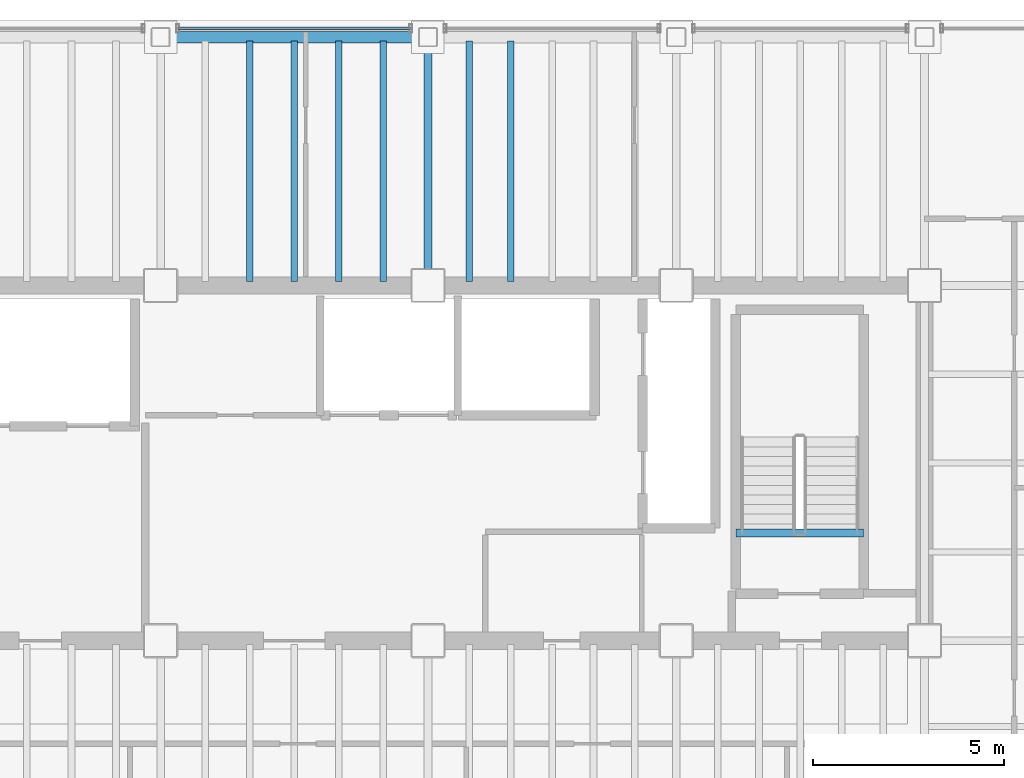
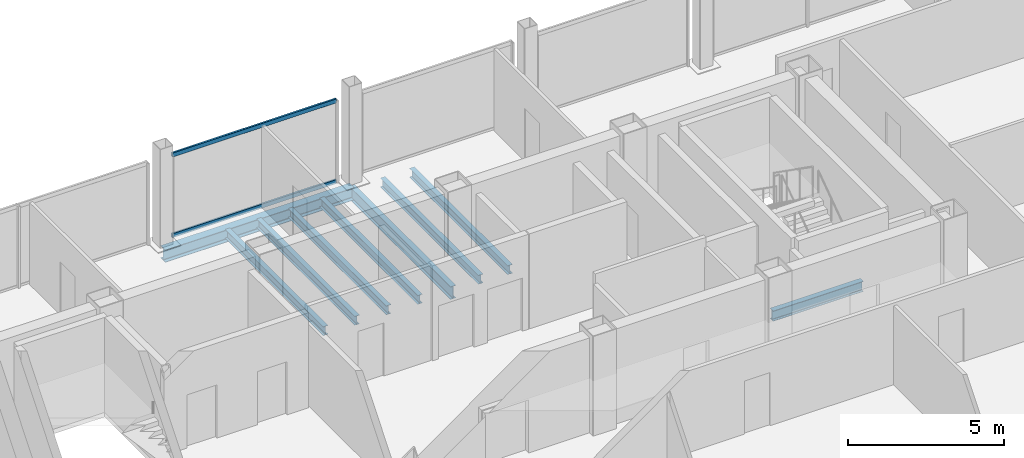
# One storey, part 8 of 16: 9 beams, 2 members, 1 element without a shape of its own.
"""IFC4 building model written with IfcOpenShell, lengths in metres."""

from ifc_helpers import new_model, si_unit, direction, frame, origin, origin_2d, place, context, subcontext, project, spatial, hollow_rectangle, i_section, extrude, material, material_profile, profile_set, type_object, element, aggregate, save


model = new_model("IFC4")

# Units and contexts
model_context = context("Model", 3, precision=1e-05, world=origin(), true_north=direction((0.0, 1.0)))
body_context = subcontext(model_context, "Body", "Model", "MODEL_VIEW")
ifc_project = project(units=[si_unit("LENGTHUNIT", "METRE"), si_unit("AREAUNIT", "SQUARE_METRE"), si_unit("VOLUMEUNIT", "CUBIC_METRE"), si_unit("PLANEANGLEUNIT", "RADIAN"), si_unit("MASSUNIT", "GRAM", prefix="KILO")], contexts=[model_context])

# Site, building, storey
site_placement = place(None, origin())
site = spatial("IfcSite", under=ifc_project, at=site_placement, CompositionType="ELEMENT")
building_placement = place(site_placement, origin())
building = spatial("IfcBuilding", under=site, at=building_placement, Name="Noeulbin Bourse Tower", CompositionType="ELEMENT")
storey_placement = place(building_placement, frame((0.0, 0.0, 185.10009765625)))
storey = spatial("IfcBuildingStorey", under=building, at=storey_placement, Name="L46", CompositionType="ELEMENT", Elevation=185.10009765625)

# Beams
ifc_material_1 = material(Name="Steel S355", Category="steel")
ifc_material_profile_1 = material_profile(ifc_material_1, i_section(OverallWidth=0.199951171875, OverallDepth=0.5, WebThickness=0.010009765625, FlangeThickness=0.01611328125, FilletRadius=0.02001953125, at=origin_2d()), Name="H-500x200x10x16", Category="LoadBearing")
ifc_profile_set_1 = profile_set([ifc_material_profile_1], Name="Steel S355")
beam_type_1 = type_object("IfcBeamType", Name="BM-GRD-500", PredefinedType="USERDEFINED", material=ifc_profile_set_1)
beam_1_placement = place(storey_placement, frame((31.0, 38.300048828125, -0.43017578125), z_axis=(0.0, 1.0, 0.0), x_axis=(-1.0, 0.0, 0.0)))
element("IfcBeam", 1, at=beam_1_placement, inside=storey, type_object=beam_type_1, Name="Tower Primary Girder NS L46-3.4", ObjectType="GIRDER", PredefinedType="USERDEFINED", context=body_context, shape_type="SweptSolid", body=[
    extrude(i_section(OverallWidth=0.199951171875, OverallDepth=0.5, WebThickness=0.010009765625, FlangeThickness=0.01611328125, FilletRadius=0.02001953125, at=origin_2d()), origin(), (0.0, 0.0, 1.0), 6.5),
])
ifc_material_profile_2 = material_profile(ifc_material_1, i_section(OverallWidth=0.175048828125, OverallDepth=0.35009765625, WebThickness=0.007080078125, FlangeThickness=0.010986328125, FilletRadius=0.013916015625, at=origin_2d()), Name="H-350x175x7x11", Category="LoadBearing")
ifc_profile_set_2 = profile_set([ifc_material_profile_2], Name="Steel S355")
beam_type_2 = type_object("IfcBeamType", Name="BM-JST-350", PredefinedType="JOIST", material=ifc_profile_set_2)
for number, where, z_axis, x_axis, name in (
    (2, (26.333251953125, 38.39990234375, -0.35498046875), (0.0, 1.0, 0.0), (-1.0, 0.0, 0.0), "Tower Composite Joist L46-29"),
    (3, (27.5, 38.39990234375, -0.35498046875), (0.0, 1.0, 0.0), (-1.0, 0.0, 0.0), "Tower Composite Joist L46-31"),
    (4, (28.666748046875, 38.39990234375, -0.35498046875), (0.0, 1.0, 0.0), (-1.0, 0.0, 0.0), "Tower Composite Joist L46-33"),
    (5, (29.833251953125, 38.39990234375, -0.35498046875), (0.0, 1.0, 0.0), (-1.0, 0.0, 0.0), "Tower Composite Joist L46-36"),
    (6, (32.083251953125, 38.39990234375, -0.35498046875), (0.0, 1.0, 0.0), (-1.0, 0.0, 0.0), "Tower Composite Joist L46-39"),
    (7, (33.166748046875, 38.39990234375, -0.35498046875), (0.0, 1.0, 0.0), (-1.0, 0.0, 0.0), "Tower Composite Joist L46-42"),
):
    element("IfcBeam", number, at=place(storey_placement, frame(where, z_axis=z_axis, x_axis=x_axis)), inside=storey, type_object=beam_type_2, Name=name, PredefinedType="JOIST", context=body_context, shape_type="SweptSolid", body=[
        extrude(i_section(OverallWidth=0.175048828125, OverallDepth=0.35009765625, WebThickness=0.007080078125, FlangeThickness=0.010986328125, FilletRadius=0.013916015625, at=origin_2d()), origin(), (0.0, 0.0, 1.0), 6.300048828125),
    ])
ifc_material_profile_3 = material_profile(ifc_material_1, i_section(OverallWidth=0.199951171875, OverallDepth=0.39990234375, WebThickness=0.008056640625, FlangeThickness=0.012939453125, FilletRadius=0.01611328125, at=origin_2d()), Name="H-400x200x8x13", Category="LoadBearing")
ifc_profile_set_3 = profile_set([ifc_material_profile_3], Name="Steel S355")
beam_type_3 = type_object("IfcBeamType", Name="BM-SEC-400", PredefinedType="BEAM", material=ifc_profile_set_3)
beam_2_placement = place(storey_placement, frame((39.06005859375, 31.820068359375, -0.2001953125), z_axis=(1.0, 0.0, 0.0), x_axis=(0.0, 1.0, 0.0)))
element("IfcBeam", 8, at=beam_2_placement, inside=storey, type_object=beam_type_3, Name="Stair Threshold Trimmer Beam ST2-L46", PredefinedType="BEAM", context=body_context, shape_type="SweptSolid", body=[
    extrude(i_section(OverallWidth=0.199951171875, OverallDepth=0.39990234375, WebThickness=0.008056640625, FlangeThickness=0.012939453125, FilletRadius=0.01611328125, at=origin_2d()), origin(), (0.0, 0.0, 1.0), 3.33984375),
])
ifc_material_profile_4 = material_profile(ifc_material_1, i_section(OverallWidth=0.300048828125, OverallDepth=0.488037109375, WebThickness=0.010986328125, FlangeThickness=0.01806640625, FilletRadius=0.02197265625, at=origin_2d()), Name="H-488x300x11x18", Category="LoadBearing")
ifc_profile_set_4 = profile_set([ifc_material_profile_4], Name="Steel S355")
beam_type_4 = type_object("IfcBeamType", Name="BM-SPN-488", PredefinedType="SPANDREL", material=ifc_profile_set_4)
beam_3_placement = place(storey_placement, frame((24.0, 44.800048828125, -0.424072265625), z_axis=(1.0, 0.0, 0.0), x_axis=(0.0, 1.0, 0.0)))
element("IfcBeam", 9, at=beam_3_placement, inside=storey, type_object=beam_type_4, Name="North Spandrel L46-2", PredefinedType="SPANDREL", context=body_context, shape_type="SweptSolid", body=[
    extrude(i_section(OverallWidth=0.300048828125, OverallDepth=0.488037109375, WebThickness=0.010986328125, FlangeThickness=0.01806640625, FilletRadius=0.02197265625, at=origin_2d()), origin(), (0.0, 0.0, 1.0), 7.0),
])

# Curtain wall, members
ifc_material_2 = material(Name="Dark Tinted Triple Glazing", Category="glass")
curtain_wall_type = type_object("IfcCurtainWallType", Name="CW-SYS-3", PredefinedType="NOTDEFINED", material=ifc_material_2)
curtain_wall_placement = place(storey_placement, origin())
curtain_wall = element("IfcCurtainWall", 10, at=curtain_wall_placement, inside=storey, type_object=curtain_wall_type, Name="Unitised Curtain Wall CW-L46-N-S2", PredefinedType="NOTDEFINED")
ifc_material_3 = material(Name="Anodised Aluminium 6063-T6", Category="aluminium")
ifc_material_profile_5 = material_profile(ifc_material_3, hollow_rectangle(XDim=0.074951171875, YDim=0.159912109375, WallThickness=0.0048828125, InnerFilletRadius=0.00244140625, OuterFilletRadius=0.0048828125, at=origin_2d()), Name="ALU-TRAN-75x160x5", Category="LoadBearing")
ifc_profile_set_5 = profile_set([ifc_material_profile_5], Name="Anodised Aluminium 6063-T6")
member_type = type_object("IfcMemberType", Name="CW-SYS-3-TRN", PredefinedType="USERDEFINED", material=ifc_profile_set_5)
member_1_placement = place(storey_placement, frame((24.4599609375, 45.030029296875, 0.010009765625), z_axis=(1.0, 0.0, 0.0), x_axis=(0.0, 1.0, 0.0)))
member_1 = element("IfcMember", 11, at=member_1_placement, type_object=member_type, Name="Curtain Wall Transom CW-L46-N-S2-T00", ObjectType="TRANSOM", PredefinedType="USERDEFINED", context=body_context, shape_type="SweptSolid", body=[
    extrude(hollow_rectangle(XDim=0.074951171875, YDim=0.159912109375, WallThickness=0.0048828125, InnerFilletRadius=0.00244140625, OuterFilletRadius=0.0048828125, at=origin_2d()), origin(), (0.0, 0.0, 1.0), 6.080078125),
])
member_2_placement = place(storey_placement, frame((24.4599609375, 45.030029296875, 3.169921875), z_axis=(1.0, 0.0, 0.0), x_axis=(0.0, 1.0, 0.0)))
member_2 = element("IfcMember", 12, at=member_2_placement, type_object=member_type, Name="Curtain Wall Transom CW-L46-N-S2-T01", ObjectType="TRANSOM", PredefinedType="USERDEFINED", context=body_context, shape_type="SweptSolid", body=[
    extrude(hollow_rectangle(XDim=0.074951171875, YDim=0.159912109375, WallThickness=0.0048828125, InnerFilletRadius=0.00244140625, OuterFilletRadius=0.0048828125, at=origin_2d()), origin(), (0.0, 0.0, 1.0), 6.080078125),
])
aggregate(curtain_wall, [member_1, member_2])

save(model, "model.ifc")
